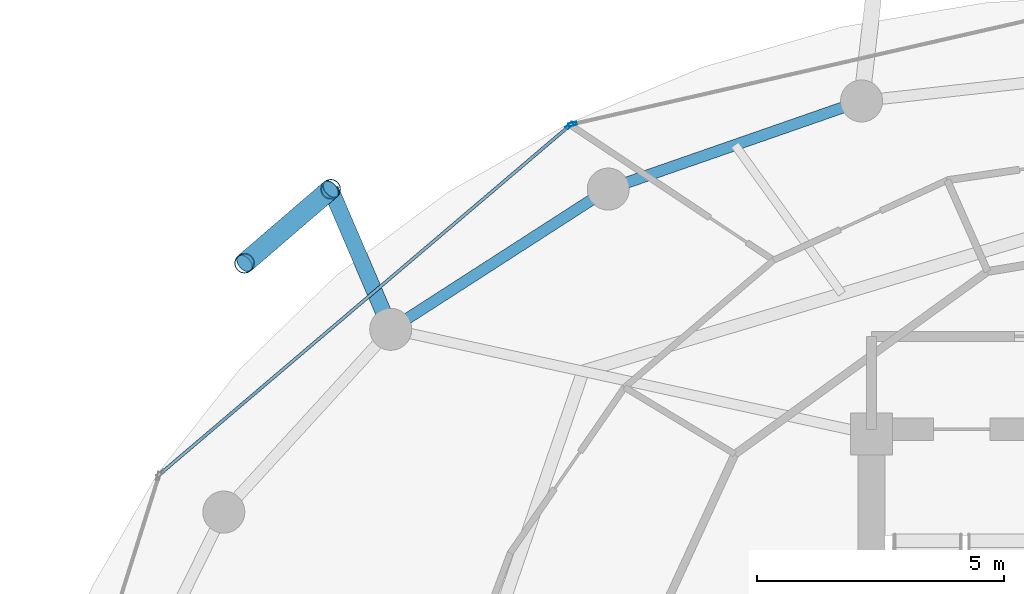
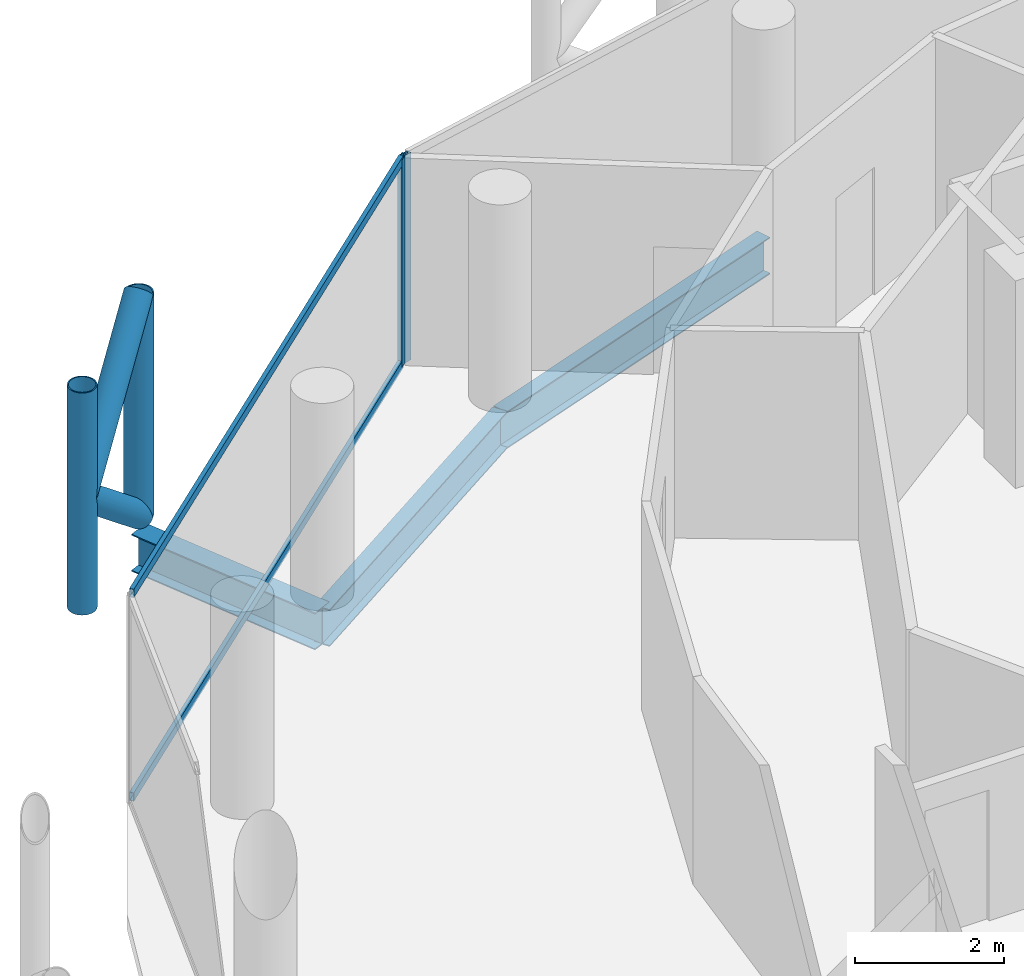
# One storey, part 18 of 27: 8 members, 3 beams, 2 elements without a shape of their own.
"""IFC4 building model written with IfcOpenShell, lengths in metres."""

from ifc_helpers import new_model, si_unit, direction, frame, origin, origin_2d, place, context, subcontext, project, spatial, hollow_rectangle, hollow_circle, i_section, extrude, material, layer, layer_set, material_profile, profile_set, type_object, element, aggregate, save


model = new_model("IFC4")

# Units and contexts
model_context = context("Model", 3, precision=1e-05, world=origin(), true_north=direction((0.0, 1.0)))
body_context = subcontext(model_context, "Body", "Model", "MODEL_VIEW")
ifc_project = project(units=[si_unit("LENGTHUNIT", "METRE"), si_unit("AREAUNIT", "SQUARE_METRE"), si_unit("VOLUMEUNIT", "CUBIC_METRE"), si_unit("PLANEANGLEUNIT", "RADIAN"), si_unit("MASSUNIT", "GRAM", prefix="KILO")], contexts=[model_context])

# Site, building, storey
site_placement = place(None, origin())
site = spatial("IfcSite", under=ifc_project, at=site_placement, CompositionType="ELEMENT")
building_placement = place(site_placement, origin())
building = spatial("IfcBuilding", under=site, at=building_placement, Name="Nuhasar Tower", CompositionType="ELEMENT")
storey_placement = place(building_placement, frame((0.0, 0.0, 233.699951171875)))
storey = spatial("IfcBuildingStorey", under=building, at=storey_placement, Name="L57", CompositionType="ELEMENT", Elevation=233.699951171875)

# Beams
ifc_material_1 = material(Name="Steel S355", Category="steel")
ifc_material_profile_1 = material_profile(ifc_material_1, i_section(OverallWidth=0.22802734375, OverallDepth=0.60791015625, WebThickness=0.01123046875, FlangeThickness=0.017333984375, at=origin_2d()), Name="W24X76")
ifc_profile_set_1 = profile_set([ifc_material_profile_1], Name="Steel S355")
beam_type_1 = type_object("IfcBeamType", Name="BM-RING-W24X76", PredefinedType="SPANDREL", material=ifc_profile_set_1)
beam_1_placement = place(storey_placement, frame((33.5, 44.0419921875, -0.5439453125), z_axis=(-0.944476764686, -0.328578211342, 0.0), x_axis=(0.328578211342, -0.944476764686, 0.0)))
element("IfcBeam", 1, at=beam_1_placement, inside=storey, type_object=beam_type_1, Name="L57 Perimeter Ring Spandrel 08", PredefinedType="SPANDREL", context=body_context, shape_type="SweptSolid", body=[
    extrude(i_section(OverallWidth=0.22802734375, OverallDepth=0.60791015625, WebThickness=0.01123046875, FlangeThickness=0.017333984375, at=origin_2d()), origin(), (0.0, 0.0, 1.0), 5.42626953125),
])
beam_2_placement = place(storey_placement, frame((28.375, 42.259033203125, -0.5439453125), z_axis=(-0.840502144969, -0.541808217272, 0.0), x_axis=(0.541808217272, -0.840502144969, 0.0)))
element("IfcBeam", 2, at=beam_2_placement, inside=storey, type_object=beam_type_1, Name="L57 Perimeter Ring Spandrel 09", PredefinedType="SPANDREL", context=body_context, shape_type="SweptSolid", body=[
    extrude(i_section(OverallWidth=0.22802734375, OverallDepth=0.60791015625, WebThickness=0.01123046875, FlangeThickness=0.017333984375, at=origin_2d()), origin(), (0.0, 0.0, 1.0), 5.236083984375),
])
ifc_material_profile_2 = material_profile(ifc_material_1, i_section(OverallWidth=0.323974609375, OverallDepth=0.611083984375, WebThickness=0.0126953125, FlangeThickness=0.01904296875, at=origin_2d()), Name="W24X104")
ifc_profile_set_2 = profile_set([ifc_material_profile_2], Name="Steel S355")
beam_type_2 = type_object("IfcBeamType", Name="BM-TIE-W24X104", PredefinedType="BEAM", material=ifc_profile_set_2)
beam_3_placement = place(storey_placement, frame((23.97412109375, 39.422119140625, -0.544921875), z_axis=(-0.393680429682, 0.919247365667, 0.0), x_axis=(-0.919247365667, -0.393680429682, 0.0)))
element("IfcBeam", 3, at=beam_3_placement, inside=storey, type_object=beam_type_2, Name="L57 Exoskeleton Node Tie Beam 05", PredefinedType="BEAM", context=body_context, shape_type="SweptSolid", body=[
    extrude(i_section(OverallWidth=0.323974609375, OverallDepth=0.611083984375, WebThickness=0.0126953125, FlangeThickness=0.01904296875, at=origin_2d()), origin(), (0.0, 0.0, 1.0), 3.083984375),
])

# Curtain wall, member
ifc_material_2 = material(Name="Aluminium 6063-T6", Category="aluminium")
ifc_layer = layer(ifc_material_2, 0.18994140625)
ifc_layer_set = layer_set([ifc_layer], Name="Aluminium 6063-T6")
curtain_wall_type = type_object("IfcCurtainWallType", Name="CW-Z3-RES", PredefinedType="NOTDEFINED", material=ifc_layer_set)
curtain_wall_1_placement = place(storey_placement, origin())
curtain_wall_1 = element("IfcCurtainWall", 4, at=curtain_wall_1_placement, inside=storey, type_object=curtain_wall_type, Name="L57 Unitised Curtain Wall 04", PredefinedType="NOTDEFINED")
ifc_material_profile_3 = material_profile(ifc_material_2, hollow_rectangle(XDim=0.06494140625, YDim=0.169921875, WallThickness=0.0048828125, at=origin_2d()), Name="CWM-4")
ifc_profile_set_3 = profile_set([ifc_material_profile_3], Name="Aluminium 6063-T6")
member_type_1 = type_object("IfcMemberType", Name="CW-MUL-S4", PredefinedType="MULLION", material=ifc_profile_set_3)
member_1_placement = place(storey_placement, frame((27.651611328125, 43.5732421875, 0.0), z_axis=(0.0, 0.0, 1.0), x_axis=(0.222243176313, -0.974991266926, 0.0)))
member_1 = element("IfcMember", 5, at=member_1_placement, type_object=member_type_1, Name="CW-Z3 mullion 2", PredefinedType="MULLION", context=body_context, shape_type="SweptSolid", body=[
    extrude(hollow_rectangle(XDim=0.06494140625, YDim=0.169921875, WallThickness=0.0048828125, at=origin_2d()), origin(), (0.0, 0.0, 1.0), 3.41015625),
])
aggregate(curtain_wall_1, [member_1])

# Curtain wall, members
curtain_wall_2_placement = place(storey_placement, origin())
curtain_wall_2 = element("IfcCurtainWall", 6, at=curtain_wall_2_placement, inside=storey, type_object=curtain_wall_type, Name="L57 Unitised Curtain Wall 05", PredefinedType="NOTDEFINED")
member_2_placement = place(storey_placement, frame((27.59521484375, 43.544921875, 0.0), z_axis=(0.0, 0.0, 1.0), x_axis=(0.64789521578, -0.761729472562, 0.0)))
member_2 = element("IfcMember", 7, at=member_2_placement, type_object=member_type_1, Name="CW-Z3 mullion 1", PredefinedType="MULLION", context=body_context, shape_type="SweptSolid", body=[
    extrude(hollow_rectangle(XDim=0.06494140625, YDim=0.169921875, WallThickness=0.0048828125, at=origin_2d()), origin(), (0.0, 0.0, 1.0), 3.41015625),
])
ifc_material_profile_4 = material_profile(ifc_material_2, hollow_rectangle(XDim=0.06494140625, YDim=0.139892578125, WallThickness=0.00439453125, at=origin_2d()), Name="CWT-4")
ifc_profile_set_4 = profile_set([ifc_material_profile_4], Name="Aluminium 6063-T6")
member_type_2 = type_object("IfcMemberType", Name="CW-TRN-S4", PredefinedType="USERDEFINED", material=ifc_profile_set_4)
member_3_placement = place(storey_placement, frame((27.570556640625, 43.52392578125, 0.032470703125), z_axis=(-0.761730809511, -0.647893643928, 0.0), x_axis=(0.647893643928, -0.761730809511, 0.0)))
member_3 = element("IfcMember", 8, at=member_3_placement, type_object=member_type_2, Name="CW-Z3 transom 1.1", ObjectType="TRANSOM", PredefinedType="USERDEFINED", context=body_context, shape_type="SweptSolid", body=[
    extrude(hollow_rectangle(XDim=0.06494140625, YDim=0.139892578125, WallThickness=0.00439453125, at=origin_2d()), origin(), (0.0, 0.0, 1.0), 10.806884765625),
])
member_4_placement = place(storey_placement, frame((27.570556640625, 43.52392578125, 3.37744140625), z_axis=(-0.761730809511, -0.647893643928, 0.0), x_axis=(0.647893643928, -0.761730809511, 0.0)))
member_4 = element("IfcMember", 9, at=member_4_placement, type_object=member_type_2, Name="CW-Z3 transom 1.2", ObjectType="TRANSOM", PredefinedType="USERDEFINED", context=body_context, shape_type="SweptSolid", body=[
    extrude(hollow_rectangle(XDim=0.06494140625, YDim=0.139892578125, WallThickness=0.00439453125, at=origin_2d()), origin(), (0.0, 0.0, 1.0), 10.806884765625),
])
aggregate(curtain_wall_2, [member_2, member_3, member_4])

# Members
ifc_material_3 = material(Name="Steel S460", Category="steel")
ifc_material_profile_5 = material_profile(ifc_material_3, hollow_circle(Radius=0.203125, WallThickness=0.01904296875, at=origin_2d()), Name="HSS406.4X19.1")
ifc_profile_set_5 = profile_set([ifc_material_profile_5], Name="Steel S460")
member_type_3 = type_object("IfcMemberType", Name="EXO-BRONZE-406", PredefinedType="BRACE", material=ifc_profile_set_5)
for number, where, z_axis, x_axis, name in (
    (10, (22.760009765625, 42.257080078125, 0.0), (0.0, 0.0, 1.0), (1.0, 0.0, 0.0), "L57 Exoskeleton Chord Column EC-05A"),
    (11, (21.01611328125, 40.758056640625, 0.0), (0.0, 0.0, 1.0), (1.0, 0.0, 0.0), "L57 Exoskeleton Chord Column EC-05B"),
):
    element("IfcMember", number, at=place(storey_placement, frame(where, z_axis=z_axis, x_axis=x_axis)), inside=storey, type_object=member_type_3, Name=name, PredefinedType="BRACE", context=body_context, shape_type="SweptSolid", body=[
        extrude(hollow_circle(Radius=0.203125, WallThickness=0.01904296875, at=origin_2d()), origin(), (0.0, 0.0, 1.0), 3.650146484375),
    ])
for number, where, z_axis, x_axis, name in (
    (12, (22.760009765625, 42.257080078125, 0.0), (-0.594018535389, -0.510608120858, 0.621627964725), (0.65185738425, -0.758341579104, 0.0), "L57 Bronze Diagrid Brace W1-05"),
    (13, (21.01611328125, 40.758056640625, 1.824951171875), (0.593987827832, 0.51058172517, 0.621678986543), (-0.65185738425, 0.758341579104, 0.0), "L57 Bronze Diagrid Brace W2-05"),
):
    element("IfcMember", number, at=place(storey_placement, frame(where, z_axis=z_axis, x_axis=x_axis)), inside=storey, type_object=member_type_3, Name=name, PredefinedType="BRACE", context=body_context, shape_type="SweptSolid", body=[
        extrude(hollow_circle(Radius=0.203125, WallThickness=0.01904296875, at=origin_2d()), origin(), (0.0, 0.0, 1.0), 2.935791015625),
    ])

save(model, "model.ifc")
